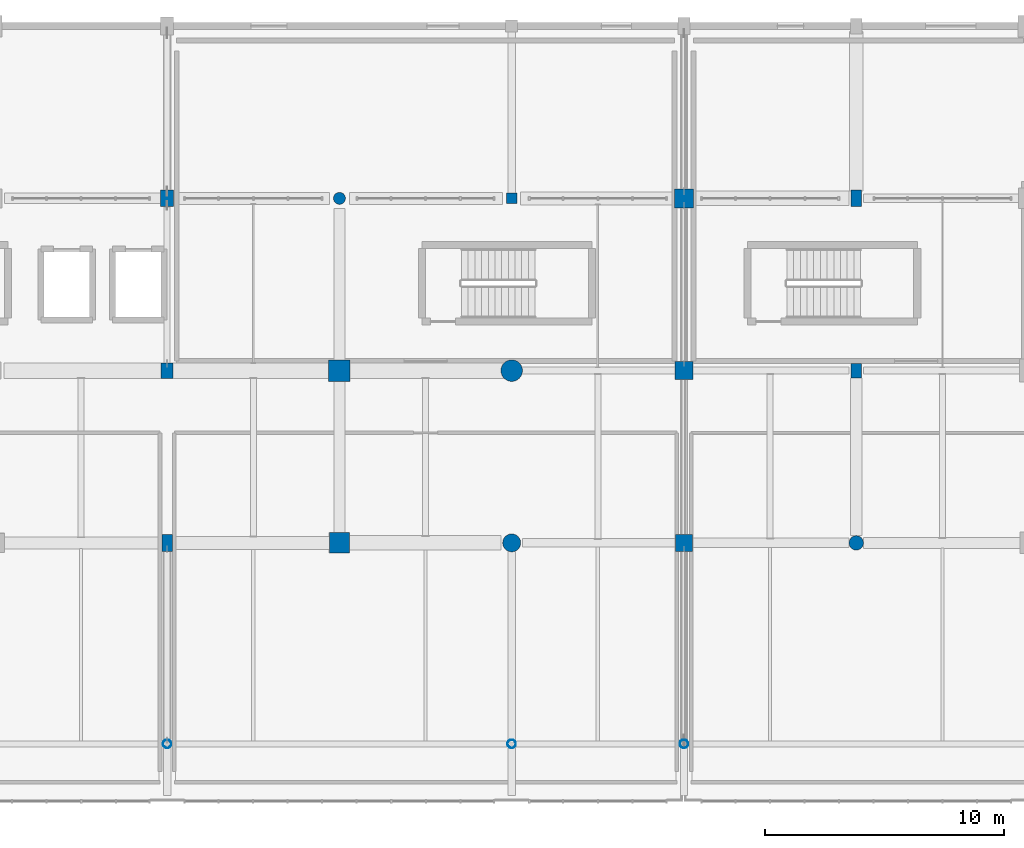
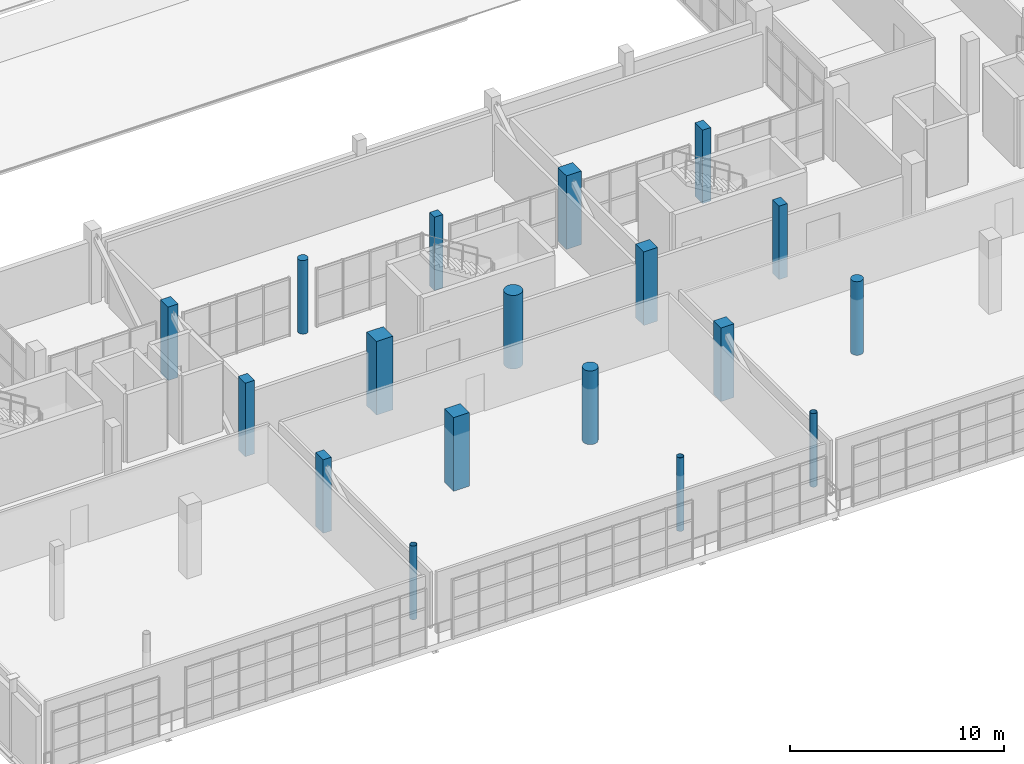
# One storey, part 9 of 90: 18 columns.
"""IFC4 building model written with IfcOpenShell, lengths in metres."""

from ifc_helpers import new_model, si_unit, direction, frame, origin, origin_2d, place, context, subcontext, project, spatial, rectangle, circle, hollow_circle, extrude, material, material_profile, profile_set, type_object, element, save


model = new_model("IFC4")

# Units and contexts
model_context = context("Model", 3, precision=1e-05, world=origin(), true_north=direction((0.0, 1.0)))
body_context = subcontext(model_context, "Body", "Model", "MODEL_VIEW")
ifc_project = project(units=[si_unit("LENGTHUNIT", "METRE"), si_unit("AREAUNIT", "SQUARE_METRE"), si_unit("VOLUMEUNIT", "CUBIC_METRE"), si_unit("PLANEANGLEUNIT", "RADIAN"), si_unit("MASSUNIT", "GRAM", prefix="KILO")], contexts=[model_context])

# Site, building, storey
site_placement = place(None, origin())
site = spatial("IfcSite", under=ifc_project, at=site_placement, CompositionType="ELEMENT")
building_placement = place(site_placement, origin())
building = spatial("IfcBuilding", under=site, at=building_placement, Name="Solanera Park Tramway Depot", CompositionType="ELEMENT")
storey_placement = place(building_placement, frame((0.0, 0.0, 9.0)))
storey = spatial("IfcBuildingStorey", under=building, at=storey_placement, Name="L02", CompositionType="ELEMENT", Elevation=9.0)

# Columns
ifc_material_1 = material(Name="Concrete N40 (C40/50)", Category="concrete")
ifc_material_profile_1 = material_profile(ifc_material_1, rectangle(XDim=0.449951171875, YDim=0.699951171875, at=origin_2d()), Name="RC 450x700")
ifc_profile_set_1 = profile_set([ifc_material_profile_1], Name="Concrete N40 (C40/50)")
column_type_1 = type_object("IfcColumnType", Name="RC Column Ext RC 450x700", PredefinedType="COLUMN", material=ifc_profile_set_1)
column_1_placement = place(storey_placement, frame((129.60009765625, 10.800048828125, 0.0), z_axis=(0.0, 0.0, 1.0), x_axis=(1.0, 0.0, 0.0)))
element("IfcColumn", 1, at=column_1_placement, inside=storey, type_object=column_type_1, Name="L02 Column V4-X1296-Y108", PredefinedType="COLUMN", context=body_context, shape_type="SweptSolid", body=[
    extrude(rectangle(XDim=0.449951171875, YDim=0.699951171875, at=origin_2d()), origin(), (0.0, 0.0, 1.0), 4.199951171875),
])
ifc_material_2 = material(Name="Concrete N40 (C40/50)", Category="concrete")
ifc_material_profile_2 = material_profile(ifc_material_2, rectangle(XDim=0.699951171875, YDim=0.699951171875, at=origin_2d()), Name="RC 700x700")
ifc_profile_set_2 = profile_set([ifc_material_profile_2], Name="Concrete N40 (C40/50)")
column_type_2 = type_object("IfcColumnType", Name="RC Column Ext RC 700x700", PredefinedType="COLUMN", material=ifc_profile_set_2)
column_2_placement = place(storey_placement, frame((151.199951171875, 10.800048828125, 0.0), z_axis=(0.0, 0.0, 1.0), x_axis=(1.0, 0.0, 0.0)))
element("IfcColumn", 2, at=column_2_placement, inside=storey, type_object=column_type_2, Name="L02 Column V4-X1512-Y108", PredefinedType="COLUMN", context=body_context, shape_type="SweptSolid", body=[
    extrude(rectangle(XDim=0.699951171875, YDim=0.699951171875, at=origin_2d()), origin(), (0.0, 0.0, 1.0), 4.199951171875),
])
ifc_material_3 = material(Name="Concrete N40 (C40/50)", Category="concrete")
ifc_material_profile_3 = material_profile(ifc_material_3, rectangle(XDim=0.85009765625, YDim=0.85009765625, at=origin_2d()), Name="RC 850x850")
ifc_profile_set_3 = profile_set([ifc_material_profile_3], Name="Concrete N40 (C40/50)")
column_type_3 = type_object("IfcColumnType", Name="RC Column Ext RC 850x850", PredefinedType="COLUMN", material=ifc_profile_set_3)
column_3_placement = place(storey_placement, frame((136.800048828125, 10.800048828125, 0.0), z_axis=(0.0, 0.0, 1.0), x_axis=(1.0, 0.0, 0.0)))
element("IfcColumn", 3, at=column_3_placement, inside=storey, type_object=column_type_3, Name="L02 Column V4-X1368-Y108", PredefinedType="COLUMN", context=body_context, shape_type="SweptSolid", body=[
    extrude(rectangle(XDim=0.85009765625, YDim=0.85009765625, at=origin_2d()), origin(), (0.0, 0.0, 1.0), 4.199951171875),
])
ifc_material_4 = material(Name="Concrete N40 (C40/50)", Category="concrete")
ifc_material_profile_4 = material_profile(ifc_material_4, circle(Radius=0.300048828125, at=origin_2d()), Name="RC D600")
ifc_profile_set_4 = profile_set([ifc_material_profile_4], Name="Concrete N40 (C40/50)")
column_type_4 = type_object("IfcColumnType", Name="RC Column Ext RC D600", PredefinedType="COLUMN", material=ifc_profile_set_4)
column_4_placement = place(storey_placement, frame((158.39990234375, 10.800048828125, 0.0), z_axis=(0.0, 0.0, 1.0), x_axis=(1.0, 0.0, 0.0)))
element("IfcColumn", 4, at=column_4_placement, inside=storey, type_object=column_type_4, Name="L02 Column V4-X1584-Y108", PredefinedType="COLUMN", context=body_context, shape_type="SweptSolid", body=[
    extrude(circle(Radius=0.300048828125, at=origin_2d()), origin(), (0.0, 0.0, 1.0), 4.199951171875),
])
ifc_material_5 = material(Name="Concrete N40 (C40/50)", Category="concrete")
ifc_material_profile_5 = material_profile(ifc_material_5, circle(Radius=0.375, at=origin_2d()), Name="RC D750")
ifc_profile_set_5 = profile_set([ifc_material_profile_5], Name="Concrete N40 (C40/50)")
column_type_5 = type_object("IfcColumnType", Name="RC Column Ext RC D750", PredefinedType="COLUMN", material=ifc_profile_set_5)
column_5_placement = place(storey_placement, frame((144.0, 10.800048828125, 0.0), z_axis=(0.0, 0.0, 1.0), x_axis=(1.0, 0.0, 0.0)))
element("IfcColumn", 5, at=column_5_placement, inside=storey, type_object=column_type_5, Name="L02 Column V4-X1440-Y108", PredefinedType="COLUMN", context=body_context, shape_type="SweptSolid", body=[
    extrude(circle(Radius=0.375, at=origin_2d()), origin(), (0.0, 0.0, 1.0), 4.199951171875),
])
ifc_material_6 = material(Name="Concrete N40 (C40/50)", Category="concrete")
ifc_material_profile_6 = material_profile(ifc_material_6, rectangle(XDim=0.449951171875, YDim=0.449951171875, at=origin_2d()), Name="RC 450x450")
ifc_profile_set_6 = profile_set([ifc_material_profile_6], Name="Concrete N40 (C40/50)")
column_type_6 = type_object("IfcColumnType", Name="RC Column Int RC 450x450", PredefinedType="COLUMN", material=ifc_profile_set_6)
column_6_placement = place(storey_placement, frame((144.0, 25.199951171875, 0.0), z_axis=(0.0, 0.0, 1.0), x_axis=(1.0, 0.0, 0.0)))
element("IfcColumn", 6, at=column_6_placement, inside=storey, type_object=column_type_6, Name="L02 Column V4-X1440-Y252", PredefinedType="COLUMN", context=body_context, shape_type="SweptSolid", body=[
    extrude(rectangle(XDim=0.449951171875, YDim=0.449951171875, at=origin_2d()), origin(), (0.0, 0.0, 1.0), 4.199951171875),
])
ifc_material_7 = material(Name="Concrete N40 (C40/50)", Category="concrete")
ifc_material_profile_7 = material_profile(ifc_material_7, rectangle(XDim=0.449951171875, YDim=0.60009765625, at=origin_2d()), Name="RC 450x600")
ifc_profile_set_7 = profile_set([ifc_material_profile_7], Name="Concrete N40 (C40/50)")
column_type_7 = type_object("IfcColumnType", Name="RC Column Int RC 450x600", PredefinedType="COLUMN", material=ifc_profile_set_7)
column_7_placement = place(storey_placement, frame((158.39990234375, 18.0, 0.0), z_axis=(0.0, 0.0, 1.0), x_axis=(1.0, 0.0, 0.0)))
element("IfcColumn", 7, at=column_7_placement, inside=storey, type_object=column_type_7, Name="L02 Column V4-X1584-Y180", PredefinedType="COLUMN", context=body_context, shape_type="SweptSolid", body=[
    extrude(rectangle(XDim=0.449951171875, YDim=0.60009765625, at=origin_2d()), origin(), (0.0, 0.0, 1.0), 4.199951171875),
])
ifc_material_8 = material(Name="Concrete N40 (C40/50)", Category="concrete")
ifc_material_profile_8 = material_profile(ifc_material_8, rectangle(XDim=0.449951171875, YDim=0.699951171875, at=origin_2d()), Name="RC 450x700")
ifc_profile_set_8 = profile_set([ifc_material_profile_8], Name="Concrete N40 (C40/50)")
column_type_8 = type_object("IfcColumnType", Name="RC Column Int RC 450x700", PredefinedType="COLUMN", material=ifc_profile_set_8)
column_8_placement = place(storey_placement, frame((158.39990234375, 25.199951171875, 0.0), z_axis=(0.0, 0.0, 1.0), x_axis=(1.0, 0.0, 0.0)))
element("IfcColumn", 8, at=column_8_placement, inside=storey, type_object=column_type_8, Name="L02 Column V4-X1584-Y252", PredefinedType="COLUMN", context=body_context, shape_type="SweptSolid", body=[
    extrude(rectangle(XDim=0.449951171875, YDim=0.699951171875, at=origin_2d()), origin(), (0.0, 0.0, 1.0), 4.199951171875),
])
ifc_material_9 = material(Name="Concrete N40 (C40/50)", Category="concrete")
ifc_material_profile_9 = material_profile(ifc_material_9, rectangle(XDim=0.5, YDim=0.64990234375, at=origin_2d()), Name="RC 500x650")
ifc_profile_set_9 = profile_set([ifc_material_profile_9], Name="Concrete N40 (C40/50)")
column_type_9 = type_object("IfcColumnType", Name="RC Column Int RC 500x650", PredefinedType="COLUMN", material=ifc_profile_set_9)
column_9_placement = place(storey_placement, frame((129.60009765625, 18.0, 0.0), z_axis=(0.0, 0.0, 1.0), x_axis=(1.0, 0.0, 0.0)))
element("IfcColumn", 9, at=column_9_placement, inside=storey, type_object=column_type_9, Name="L02 Column V4-X1296-Y180", PredefinedType="COLUMN", context=body_context, shape_type="SweptSolid", body=[
    extrude(rectangle(XDim=0.5, YDim=0.64990234375, at=origin_2d()), origin(), (0.0, 0.0, 1.0), 4.199951171875),
])
ifc_material_10 = material(Name="Concrete N40 (C40/50)", Category="concrete")
ifc_material_profile_10 = material_profile(ifc_material_10, rectangle(XDim=0.550048828125, YDim=0.699951171875, at=origin_2d()), Name="RC 550x700")
ifc_profile_set_10 = profile_set([ifc_material_profile_10], Name="Concrete N40 (C40/50)")
column_type_10 = type_object("IfcColumnType", Name="RC Column Int RC 550x700", PredefinedType="COLUMN", material=ifc_profile_set_10)
column_10_placement = place(storey_placement, frame((129.60009765625, 25.199951171875, 0.0), z_axis=(0.0, 0.0, 1.0), x_axis=(1.0, 0.0, 0.0)))
element("IfcColumn", 10, at=column_10_placement, inside=storey, type_object=column_type_10, Name="L02 Column V4-X1296-Y252", PredefinedType="COLUMN", context=body_context, shape_type="SweptSolid", body=[
    extrude(rectangle(XDim=0.550048828125, YDim=0.699951171875, at=origin_2d()), origin(), (0.0, 0.0, 1.0), 4.199951171875),
])
ifc_material_11 = material(Name="Concrete N40 (C40/50)", Category="concrete")
ifc_material_profile_11 = material_profile(ifc_material_11, rectangle(XDim=0.75, YDim=0.75, at=origin_2d()), Name="RC 750x750")
ifc_profile_set_11 = profile_set([ifc_material_profile_11], Name="Concrete N40 (C40/50)")
column_type_11 = type_object("IfcColumnType", Name="RC Column Int RC 750x750", PredefinedType="COLUMN", material=ifc_profile_set_11)
column_11_placement = place(storey_placement, frame((151.199951171875, 18.0, 0.0), z_axis=(0.0, 0.0, 1.0), x_axis=(1.0, 0.0, 0.0)))
element("IfcColumn", 11, at=column_11_placement, inside=storey, type_object=column_type_11, Name="L02 Column V4-X1512-Y180", PredefinedType="COLUMN", context=body_context, shape_type="SweptSolid", body=[
    extrude(rectangle(XDim=0.75, YDim=0.75, at=origin_2d()), origin(), (0.0, 0.0, 1.0), 4.199951171875),
])
ifc_material_12 = material(Name="Concrete N40 (C40/50)", Category="concrete")
ifc_material_profile_12 = material_profile(ifc_material_12, rectangle(XDim=0.800048828125, YDim=0.800048828125, at=origin_2d()), Name="RC 800x800")
ifc_profile_set_12 = profile_set([ifc_material_profile_12], Name="Concrete N40 (C40/50)")
column_type_12 = type_object("IfcColumnType", Name="RC Column Int RC 800x800", PredefinedType="COLUMN", material=ifc_profile_set_12)
column_12_placement = place(storey_placement, frame((151.199951171875, 25.199951171875, 0.0), z_axis=(0.0, 0.0, 1.0), x_axis=(1.0, 0.0, 0.0)))
element("IfcColumn", 12, at=column_12_placement, inside=storey, type_object=column_type_12, Name="L02 Column V4-X1512-Y252", PredefinedType="COLUMN", context=body_context, shape_type="SweptSolid", body=[
    extrude(rectangle(XDim=0.800048828125, YDim=0.800048828125, at=origin_2d()), origin(), (0.0, 0.0, 1.0), 4.199951171875),
])
ifc_material_13 = material(Name="Concrete N40 (C40/50)", Category="concrete")
ifc_material_profile_13 = material_profile(ifc_material_13, rectangle(XDim=0.89990234375, YDim=0.89990234375, at=origin_2d()), Name="RC 900x900")
ifc_profile_set_13 = profile_set([ifc_material_profile_13], Name="Concrete N40 (C40/50)")
column_type_13 = type_object("IfcColumnType", Name="RC Column Int RC 900x900", PredefinedType="COLUMN", material=ifc_profile_set_13)
column_13_placement = place(storey_placement, frame((136.800048828125, 18.0, 0.0), z_axis=(0.0, 0.0, 1.0), x_axis=(1.0, 0.0, 0.0)))
element("IfcColumn", 13, at=column_13_placement, inside=storey, type_object=column_type_13, Name="L02 Column V4-X1368-Y180", PredefinedType="COLUMN", context=body_context, shape_type="SweptSolid", body=[
    extrude(rectangle(XDim=0.89990234375, YDim=0.89990234375, at=origin_2d()), origin(), (0.0, 0.0, 1.0), 4.199951171875),
])
ifc_material_14 = material(Name="Concrete N40 (C40/50)", Category="concrete")
ifc_material_profile_14 = material_profile(ifc_material_14, circle(Radius=0.25, at=origin_2d()), Name="RC D500")
ifc_profile_set_14 = profile_set([ifc_material_profile_14], Name="Concrete N40 (C40/50)")
column_type_14 = type_object("IfcColumnType", Name="RC Column Int RC D500", PredefinedType="COLUMN", material=ifc_profile_set_14)
column_14_placement = place(storey_placement, frame((136.800048828125, 25.199951171875, 0.0), z_axis=(0.0, 0.0, 1.0), x_axis=(1.0, 0.0, 0.0)))
element("IfcColumn", 14, at=column_14_placement, inside=storey, type_object=column_type_14, Name="L02 Column V4-X1368-Y252", PredefinedType="COLUMN", context=body_context, shape_type="SweptSolid", body=[
    extrude(circle(Radius=0.25, at=origin_2d()), origin(), (0.0, 0.0, 1.0), 4.199951171875),
])
ifc_material_15 = material(Name="Concrete N40 (C40/50)", Category="concrete")
ifc_material_profile_15 = material_profile(ifc_material_15, circle(Radius=0.449951171875, at=origin_2d()), Name="RC D900")
ifc_profile_set_15 = profile_set([ifc_material_profile_15], Name="Concrete N40 (C40/50)")
column_type_15 = type_object("IfcColumnType", Name="RC Column Int RC D900", PredefinedType="COLUMN", material=ifc_profile_set_15)
column_15_placement = place(storey_placement, frame((144.0, 18.0, 0.0), z_axis=(0.0, 0.0, 1.0), x_axis=(1.0, 0.0, 0.0)))
element("IfcColumn", 15, at=column_15_placement, inside=storey, type_object=column_type_15, Name="L02 Column V4-X1440-Y180", PredefinedType="COLUMN", context=body_context, shape_type="SweptSolid", body=[
    extrude(circle(Radius=0.449951171875, at=origin_2d()), origin(), (0.0, 0.0, 1.0), 4.199951171875),
])
ifc_material_16 = material(Name="Steel AS/NZS 1163 Grade C350L0", Category="steel")
ifc_material_profile_16 = material_profile(ifc_material_16, hollow_circle(Radius=0.177734375, WallThickness=0.0126953125, at=origin_2d()), Name="355.6x12.7 CHS")
ifc_profile_set_16 = profile_set([ifc_material_profile_16], Name="Steel AS/NZS 1163 Grade C350L0")
column_type_16 = type_object("IfcColumnType", Name="Steel Column Int 355.6x12.7 CHS", PredefinedType="COLUMN", material=ifc_profile_set_16)
for number, where, z_axis, x_axis, name in (
    (16, (129.60009765625, 2.39990234375, 0.0), (0.0, 0.0, 1.0), (1.0, 0.0, 0.0), "L02 Overhang Transfer Column 02"),
    (17, (144.0, 2.39990234375, 0.0), (0.0, 0.0, 1.0), (1.0, 0.0, 0.0), "L02 Overhang Transfer Column 03"),
    (18, (151.199951171875, 2.39990234375, 0.0), (0.0, 0.0, 1.0), (1.0, 0.0, 0.0), "L02 Overhang Transfer Column 04"),
):
    element("IfcColumn", number, at=place(storey_placement, frame(where, z_axis=z_axis, x_axis=x_axis)), inside=storey, type_object=column_type_16, Name=name, PredefinedType="COLUMN", context=body_context, shape_type="SweptSolid", body=[
        extrude(hollow_circle(Radius=0.177734375, WallThickness=0.0126953125, at=origin_2d()), origin(), (0.0, 0.0, 1.0), 4.199951171875),
    ])

save(model, "model.ifc")
